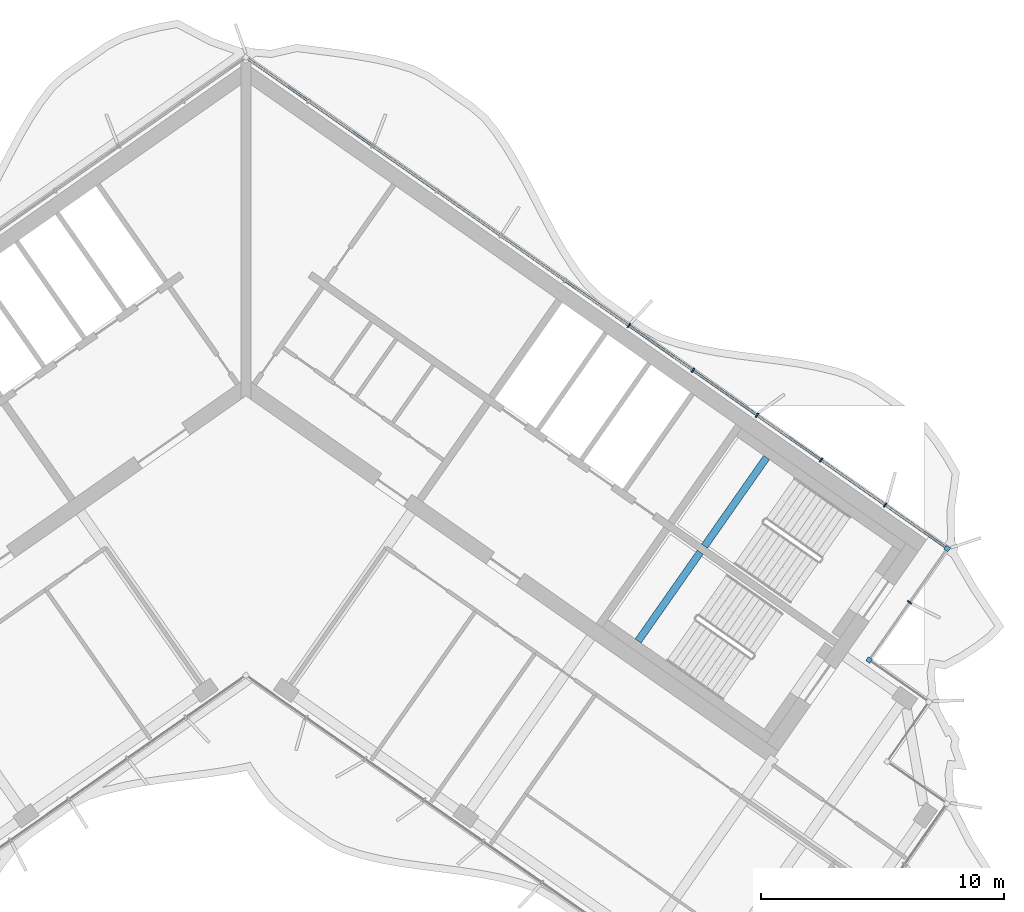
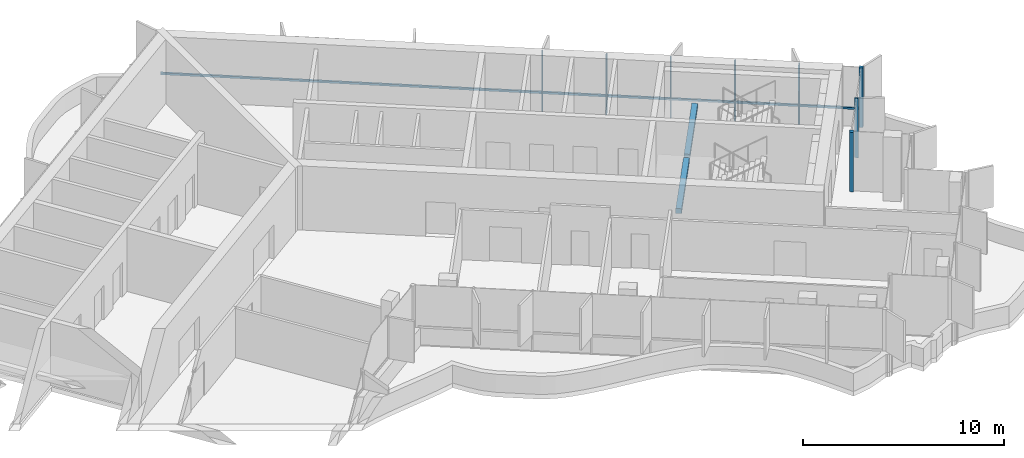
# One storey, part 5 of 17: 9 members, 2 beams, 1 element without a shape of its own.
"""IFC4 building model written with IfcOpenShell, lengths in metres."""

from ifc_helpers import new_model, si_unit, direction, frame, origin, origin_2d, place, context, subcontext, project, spatial, rectangle, extrude, material, material_profile, profile_set, type_object, element, aggregate, save


model = new_model("IFC4")

# Units and contexts
model_context = context("Model", 3, precision=1e-05, world=origin(), true_north=direction((0.0, 1.0)))
body_context = subcontext(model_context, "Body", "Model", "MODEL_VIEW")
ifc_project = project(units=[si_unit("LENGTHUNIT", "METRE"), si_unit("AREAUNIT", "SQUARE_METRE"), si_unit("VOLUMEUNIT", "CUBIC_METRE"), si_unit("PLANEANGLEUNIT", "RADIAN"), si_unit("MASSUNIT", "GRAM", prefix="KILO")], contexts=[model_context])

# Site, building, storey
site_placement = place(None, origin())
site = spatial("IfcSite", under=ifc_project, at=site_placement, CompositionType="ELEMENT")
building_placement = place(site_placement, origin())
building = spatial("IfcBuilding", under=site, at=building_placement, Name="Tel Ilan Convention Tower", CompositionType="ELEMENT")
storey_placement = place(building_placement, frame((0.0, 0.0, 276.10009765625)))
storey = spatial("IfcBuildingStorey", under=building, at=storey_placement, Name="L65", CompositionType="ELEMENT", Elevation=276.10009765625)

# Curtain wall, members
ifc_material_1 = material(Name="Aluminium, bronze anodised", Category="aluminium")
curtain_wall_type = type_object("IfcCurtainWallType", Name="CW2 STICK CURTAIN WALL, SPANDREL PANELS", PredefinedType="NOTDEFINED", material=ifc_material_1)
curtain_wall_placement = place(storey_placement, origin())
curtain_wall = element("IfcCurtainWall", 1, at=curtain_wall_placement, inside=storey, type_object=curtain_wall_type, Name="Curtain wall CW2-50.01", PredefinedType="NOTDEFINED")
ifc_material_2 = material(Name="Aluminium, bronze anodised", Category="aluminium")
ifc_material_profile_1 = material_profile(ifc_material_2, rectangle(XDim=0.199951171875, YDim=0.199951171875, at=origin_2d()), Name="CW CORNER MULLION 200x200")
ifc_profile_set_1 = profile_set([ifc_material_profile_1], Name="Aluminium, bronze anodised")
member_type_1 = type_object("IfcMemberType", Name="CW CORNER MULLION 200x200", PredefinedType="MULLION", material=ifc_profile_set_1)
member_1_placement = place(storey_placement, frame((25.607421875, -12.07080078125, 0.0), z_axis=(0.0, 0.0, 1.0), x_axis=(-0.819152044289, 0.573576436351, 0.0)))
member_1 = element("IfcMember", 2, at=member_1_placement, type_object=member_type_1, Name="Corner mullion", PredefinedType="MULLION", context=body_context, shape_type="SweptSolid", body=[
    extrude(rectangle(XDim=0.199951171875, YDim=0.199951171875, at=origin_2d()), origin(), (0.0, 0.0, 1.0), 3.619873046875),
])
member_2_placement = place(storey_placement, frame((28.819580078125, -7.483642578125, 0.0), z_axis=(0.0, 0.0, 1.0), x_axis=(0.573576436351, 0.819152044289, 0.0)))
member_2 = element("IfcMember", 3, at=member_2_placement, type_object=member_type_1, Name="Corner mullion", PredefinedType="MULLION", context=body_context, shape_type="SweptSolid", body=[
    extrude(rectangle(XDim=0.199951171875, YDim=0.199951171875, at=origin_2d()), origin(), (0.0, 0.0, 1.0), 3.619873046875),
])
ifc_material_3 = material(Name="Aluminium, bronze anodised", Category="aluminium")
ifc_material_profile_2 = material_profile(ifc_material_3, rectangle(XDim=0.06005859375, YDim=0.199951171875, at=origin_2d()), Name="CW MULLION 60x200")
ifc_profile_set_2 = profile_set([ifc_material_profile_2], Name="Aluminium, bronze anodised")
member_type_2 = type_object("IfcMemberType", Name="CW MULLION 60x200", PredefinedType="MULLION", material=ifc_profile_set_2)
member_3_placement = place(storey_placement, frame((27.27099609375, -9.6953125, 0.0), z_axis=(0.0, 0.0, 1.0), x_axis=(0.573576436351, 0.819152044289, 0.0)))
member_3 = element("IfcMember", 4, at=member_3_placement, type_object=member_type_2, Name="Mullion", PredefinedType="MULLION", context=body_context, shape_type="SweptSolid", body=[
    extrude(rectangle(XDim=0.06005859375, YDim=0.199951171875, at=origin_2d()), origin(), (0.0, 0.0, 1.0), 3.619873046875),
])
member_4_placement = place(storey_placement, frame((26.268798828125, -5.697509765625, 0.0), z_axis=(0.0, 0.0, 1.0), x_axis=(-0.819152044289, 0.573576436351, 0.0)))
member_4 = element("IfcMember", 5, at=member_4_placement, type_object=member_type_2, Name="Mullion", PredefinedType="MULLION", context=body_context, shape_type="SweptSolid", body=[
    extrude(rectangle(XDim=0.06005859375, YDim=0.199951171875, at=origin_2d()), origin(), (0.0, 0.0, 1.0), 3.619873046875),
])
member_5_placement = place(storey_placement, frame((23.63623046875, -3.854248046875, 0.0), z_axis=(0.0, 0.0, 1.0), x_axis=(-0.819152044289, 0.573576436351, 0.0)))
member_5 = element("IfcMember", 6, at=member_5_placement, type_object=member_type_2, Name="Mullion", PredefinedType="MULLION", context=body_context, shape_type="SweptSolid", body=[
    extrude(rectangle(XDim=0.06005859375, YDim=0.199951171875, at=origin_2d()), origin(), (0.0, 0.0, 1.0), 3.619873046875),
])
member_6_placement = place(storey_placement, frame((21.003662109375, -2.0107421875, 0.0), z_axis=(0.0, 0.0, 1.0), x_axis=(-0.819152044289, 0.573576436351, 0.0)))
member_6 = element("IfcMember", 7, at=member_6_placement, type_object=member_type_2, Name="Mullion", PredefinedType="MULLION", context=body_context, shape_type="SweptSolid", body=[
    extrude(rectangle(XDim=0.06005859375, YDim=0.199951171875, at=origin_2d()), origin(), (0.0, 0.0, 1.0), 3.619873046875),
])
member_7_placement = place(storey_placement, frame((18.37109375, -0.16748046875, 0.0), z_axis=(0.0, 0.0, 1.0), x_axis=(-0.819152044289, 0.573576436351, 0.0)))
member_7 = element("IfcMember", 8, at=member_7_placement, type_object=member_type_2, Name="Mullion", PredefinedType="MULLION", context=body_context, shape_type="SweptSolid", body=[
    extrude(rectangle(XDim=0.06005859375, YDim=0.199951171875, at=origin_2d()), origin(), (0.0, 0.0, 1.0), 3.619873046875),
])
member_8_placement = place(storey_placement, frame((15.73828125, 1.676025390625, 0.0), z_axis=(0.0, 0.0, 1.0), x_axis=(-0.819152044289, 0.573576436351, 0.0)))
member_8 = element("IfcMember", 9, at=member_8_placement, type_object=member_type_2, Name="Mullion", PredefinedType="MULLION", context=body_context, shape_type="SweptSolid", body=[
    extrude(rectangle(XDim=0.06005859375, YDim=0.199951171875, at=origin_2d()), origin(), (0.0, 0.0, 1.0), 3.619873046875),
])
ifc_material_4 = material(Name="Aluminium, bronze anodised", Category="aluminium")
ifc_material_profile_3 = material_profile(ifc_material_4, rectangle(XDim=0.10009765625, YDim=0.1201171875, at=origin_2d()), Name="CW TRANSOM 100x120")
ifc_profile_set_3 = profile_set([ifc_material_profile_3], Name="Aluminium, bronze anodised")
member_type_3 = type_object("IfcMemberType", Name="CW TRANSOM 100x120", PredefinedType="USERDEFINED", material=ifc_profile_set_3)
member_9_placement = place(storey_placement, frame((28.737548828125, -7.42626953125, 1.099853515625), z_axis=(-0.819150201937, 0.573579067494, 0.0), x_axis=(-0.573579067494, -0.819150201937, 0.0)))
member_9 = element("IfcMember", 10, at=member_9_placement, type_object=member_type_3, Name="Transom", ObjectType="TRANSOM", PredefinedType="USERDEFINED", context=body_context, shape_type="SweptSolid", body=[
    extrude(rectangle(XDim=0.10009765625, YDim=0.1201171875, at=origin_2d()), origin(), (0.0, 0.0, 1.0), 34.9521484375),
])
aggregate(curtain_wall, [member_1, member_3, member_2, member_4, member_5, member_6, member_7, member_8, member_9])

# Beams
ifc_material_5 = material(Name="Concrete C40/50", Category="concrete")
ifc_material_profile_4 = material_profile(ifc_material_5, rectangle(XDim=0.300048828125, YDim=0.300048828125, at=origin_2d()), Name="RC 300x300")
ifc_profile_set_4 = profile_set([ifc_material_profile_4], Name="Concrete C40/50")
beam_type = type_object("IfcBeamType", Name="Landing Beam RC 300x300 Concrete C40/50", PredefinedType="BEAM", material=ifc_profile_set_4)
beam_1_placement = place(storey_placement, frame((21.39404296875, -3.7490234375, 1.599853515625), z_axis=(-0.573547030514, -0.819172633691, 0.0), x_axis=(0.819172633691, -0.573547030514, 0.0)))
element("IfcBeam", 11, at=beam_1_placement, inside=storey, type_object=beam_type, Name="S3 landing beam L65.1", PredefinedType="BEAM", context=body_context, shape_type="SweptSolid", body=[
    extrude(rectangle(XDim=0.300048828125, YDim=0.300048828125, at=origin_2d()), origin(), (0.0, 0.0, 1.0), 4.449951171875),
])
beam_2_placement = place(storey_placement, frame((18.669677734375, -7.64013671875, 1.599853515625), z_axis=(-0.573583844845, -0.819146856756, 0.0), x_axis=(0.819146856756, -0.573583844845, 0.0)))
element("IfcBeam", 12, at=beam_2_placement, inside=storey, type_object=beam_type, Name="S4 landing beam L65.1", PredefinedType="BEAM", context=body_context, shape_type="SweptSolid", body=[
    extrude(rectangle(XDim=0.300048828125, YDim=0.300048828125, at=origin_2d()), origin(), (0.0, 0.0, 1.0), 4.4501953125),
])

save(model, "model.ifc")
